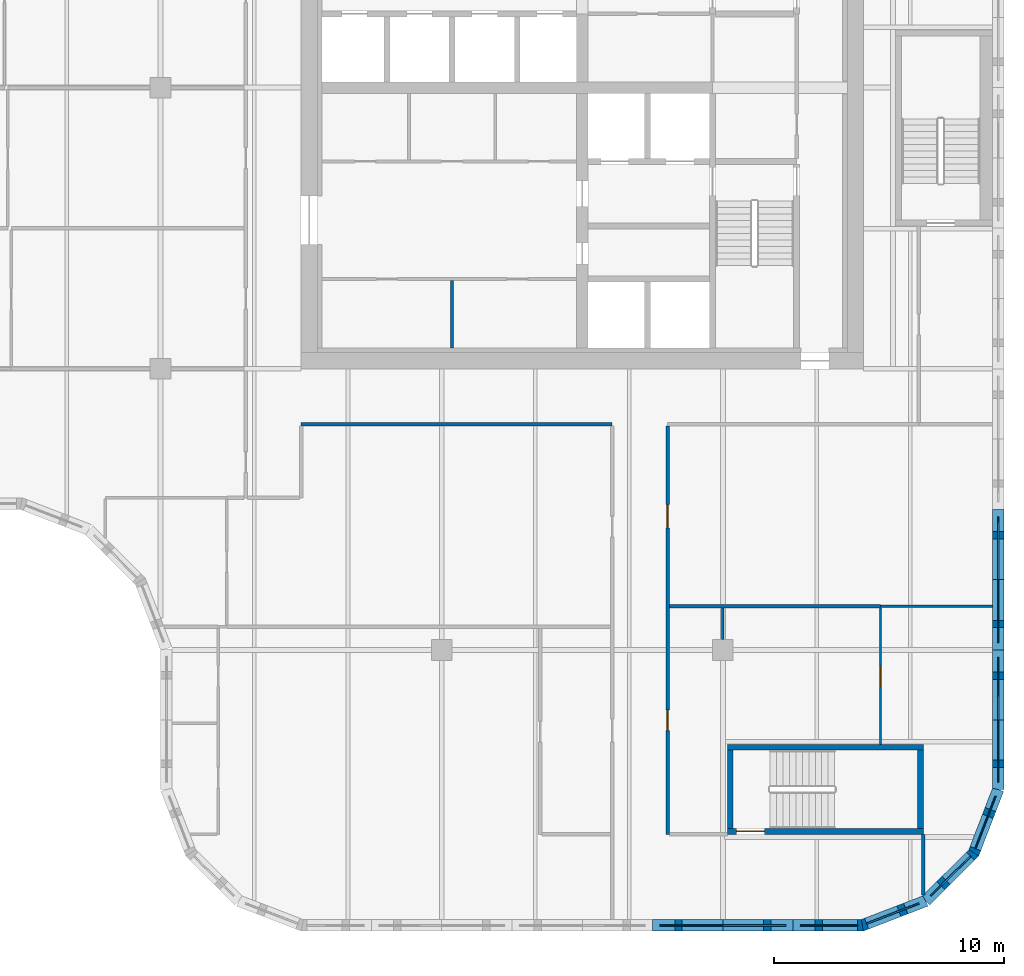
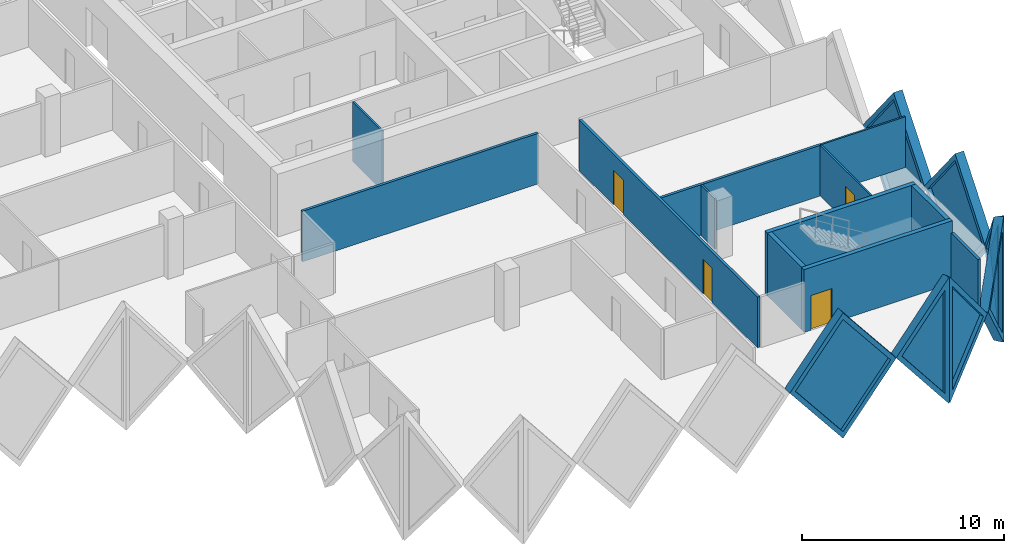
# One storey, part 5 of 13: 19 walls, 7 plates, 4 doors, 11 openings.
"""IFC4 building model written with IfcOpenShell, lengths in metres."""

from ifc_helpers import new_model, si_unit, direction, frame, frame_2d, origin, place, context, subcontext, project, spatial, polyline, rectangle, outline, extrude, faceted_brep, source, transform, mapped, material, layer, layer_set, type_object, element, fill, save


model = new_model("IFC4")

# Units and contexts
model_context = context("Model", 3, precision=1e-05, world=origin(), true_north=direction((0.0, 1.0)))
body_context = subcontext(model_context, "Body", "Model", "MODEL_VIEW")
ifc_project = project(units=[si_unit("LENGTHUNIT", "METRE"), si_unit("AREAUNIT", "SQUARE_METRE"), si_unit("VOLUMEUNIT", "CUBIC_METRE"), si_unit("PLANEANGLEUNIT", "RADIAN"), si_unit("MASSUNIT", "GRAM", prefix="KILO")], contexts=[model_context])

# Site, building, storey
site_placement = place(None, origin())
site = spatial("IfcSite", under=ifc_project, at=site_placement, CompositionType="ELEMENT")
building_placement = place(site_placement, origin())
building = spatial("IfcBuilding", under=site, at=building_placement, Name="Tessera Gate Towers", CompositionType="ELEMENT")
storey_placement = place(building_placement, frame((0.0, 0.0, 120.199951171875)))
storey = spatial("IfcBuildingStorey", under=building, at=storey_placement, Name="L29", CompositionType="ELEMENT", Elevation=120.199951171875)

# Wall, opening, door
ifc_material_1 = material(Name="Concrete C40/50", Category="concrete")
ifc_layer_1 = layer(ifc_material_1, 0.25)
ifc_layer_set_1 = layer_set([ifc_layer_1], Name="CORE ENCLOSURE WALL 250")
wall_type_1 = type_object("IfcWallType", Name="CORE ENCLOSURE WALL 250", PredefinedType="SOLIDWALL", material=ifc_layer_set_1)
wall_1_placement = place(storey_placement, frame((57.5, 4.324951171875, 0.0), z_axis=(0.0, 0.0, 1.0), x_axis=(-1.0, 0.0, 0.0)))
wall_1 = element("IfcWall", 1, at=wall_1_placement, inside=storey, type_object=wall_type_1, Name="L29 ST4 enclosure wall", PredefinedType="SOLIDWALL", context=body_context, shape_type="SweptSolid", body=[
    extrude(rectangle(XDim=8.5, YDim=0.25, at=frame_2d((4.25, 0.0))), origin(), (0.0, 0.0, 1.0), 3.800048828125),
])
shared_shape_1 = source(origin(), body_context, "Body", "SweptSolid", [
    extrude(rectangle(XDim=1.199951171875, YDim=2.10009765625, at=frame_2d((0.60009765625, 1.050048828125))), frame((0.0, 0.135009765625, 0.0), z_axis=(0.0, -1.0, 0.0), x_axis=(1.0, 0.0, 0.0)), (0.0, 0.0, 1.0), 0.27001953125),
])
opening_1_placement = place(wall_1_placement, frame((6.89990234375, 0.0, 0.0)))
opening_1 = element("IfcOpeningElement", 2, at=opening_1_placement, cuts=wall_1, Name="Opening SD-ST4-1", PredefinedType="OPENING", context=body_context, shape_type="MappedRepresentation", body=[
    mapped(shared_shape_1, transform((0.0, 0.0, 0.0), scale=1.0)),
])
ifc_material_2 = material(Name="Hollow steel fire door", Category="steel")
door_type_1 = type_object("IfcDoorType", Name="CORE DOOR SD 1200x2100", OperationType="NOTDEFINED", PredefinedType="DOOR", material=ifc_material_2)
shared_shape_2 = source(origin(), body_context, "Body", "SweptSolid", [
    extrude(rectangle(XDim=1.199951171875, YDim=2.10009765625, at=frame_2d((0.60009765625, 1.050048828125))), frame((0.0, 0.02490234375, 0.0), z_axis=(0.0, -1.0, 0.0), x_axis=(1.0, 0.0, 0.0)), (0.0, 0.0, 1.0), 0.050048828125),
])
door_1_placement = place(opening_1_placement, origin())
door_1 = element("IfcDoor", 3, at=door_1_placement, inside=storey, type_object=door_type_1, Name="Stair door", OperationType="SINGLE_SWING_RIGHT", OverallHeight=2.10009765625, OverallWidth=1.199951171875, PredefinedType="DOOR", context=body_context, shape_type="MappedRepresentation", body=[
    mapped(shared_shape_2, transform((0.0, 0.0, 0.0), scale=1.0)),
])
fill(opening_1, door_1)

# Walls
wall_2_placement = place(storey_placement, frame((49.125, 4.449951171875, 0.0), z_axis=(0.0, 0.0, 1.0), x_axis=(0.0, 1.0, 0.0)))
element("IfcWall", 4, at=wall_2_placement, inside=storey, type_object=wall_type_1, Name="L29 ST4 enclosure wall", PredefinedType="SOLIDWALL", context=body_context, shape_type="SweptSolid", body=[
    extrude(rectangle(XDim=3.400146484375, YDim=0.25, at=frame_2d((1.7001953125, 0.0))), origin(), (0.0, 0.0, 1.0), 3.800048828125),
])
wall_3_placement = place(storey_placement, frame((49.0, 7.97509765625, 0.0), z_axis=(0.0, 0.0, 1.0), x_axis=(1.0, 0.0, 0.0)))
element("IfcWall", 5, at=wall_3_placement, inside=storey, type_object=wall_type_1, Name="L29 ST4 enclosure wall", PredefinedType="SOLIDWALL", context=body_context, shape_type="SweptSolid", body=[
    extrude(rectangle(XDim=8.5, YDim=0.25, at=frame_2d((4.25, 0.0))), origin(), (0.0, 0.0, 1.0), 3.800048828125),
])
wall_4_placement = place(storey_placement, frame((57.375, 7.85009765625, 0.0), z_axis=(0.0, 0.0, 1.0), x_axis=(0.0, -1.0, 0.0)))
element("IfcWall", 6, at=wall_4_placement, inside=storey, type_object=wall_type_1, Name="L29 ST4 enclosure wall", PredefinedType="SOLIDWALL", context=body_context, shape_type="SweptSolid", body=[
    extrude(rectangle(XDim=3.400146484375, YDim=0.25, at=frame_2d((1.7001953125, 0.0))), origin(), (0.0, 0.0, 1.0), 3.800048828125),
])
ifc_material_3 = material(Name="Gypsum board on steel studs", Category="steel")
ifc_layer_2 = layer(ifc_material_3, 0.1201171875)
ifc_layer_set_2 = layer_set([ifc_layer_2], Name="CORE PARTITION 120")
wall_type_2 = type_object("IfcWallType", Name="CORE PARTITION 120", PredefinedType="PARTITIONING", material=ifc_layer_set_2)
wall_5_placement = place(storey_placement, frame((37.050048828125, 25.300048828125, 0.0), z_axis=(0.0, 0.0, 1.0), x_axis=(0.0, 1.0, 0.0)))
element("IfcWall", 7, at=wall_5_placement, inside=storey, type_object=wall_type_2, Name="L29 core partition", PredefinedType="PARTITIONING", context=body_context, shape_type="SweptSolid", body=[
    extrude(rectangle(XDim=2.93994140625, YDim=0.1201171875, at=frame_2d((1.469970703125, 0.0))), origin(), (0.0, 0.0, 1.0), 3.60009765625),
])
ifc_material_4 = material(Name="Gypsum board on steel studs, mineral wool", Category="steel")
ifc_layer_3 = layer(ifc_material_4, 0.14990234375)
ifc_layer_set_3 = layer_set([ifc_layer_3], Name="CORRIDOR WALL 150")
wall_type_3 = type_object("IfcWallType", Name="CORRIDOR WALL 150", PredefinedType="PARTITIONING", material=ifc_layer_set_3)
wall_6_placement = place(storey_placement, frame((57.5, 1.55908203125, 0.0), z_axis=(0.0, 0.0, 1.0), x_axis=(0.0, 1.0, 0.0)))
element("IfcWall", 8, at=wall_6_placement, inside=storey, type_object=wall_type_3, Name="T1-L29-PW-002", PredefinedType="PARTITIONING", context=body_context, shape_type="SweptSolid", body=[
    extrude(rectangle(XDim=2.640869140625, YDim=0.14990234375, at=frame_2d((1.3203125, 0.0))), origin(), (0.0, 0.0, 1.0), 3.067138671875),
])

# Wall, openings, doors
wall_7_placement = place(storey_placement, frame((46.39990234375, 21.924072265625, 0.0), z_axis=(0.0, 0.0, 1.0), x_axis=(0.0, -1.0, 0.0)))
wall_7 = element("IfcWall", 9, at=wall_7_placement, inside=storey, type_object=wall_type_3, Name="T1-L29-PW-007", PredefinedType="PARTITIONING", context=body_context, shape_type="SweptSolid", body=[
    extrude(rectangle(XDim=17.72412109375, YDim=0.14990234375, at=frame_2d((8.862060546875, 0.0))), origin(), (0.0, 0.0, 1.0), 3.067138671875),
])
shared_shape_3 = source(origin(), body_context, "Body", "SweptSolid", [
    extrude(rectangle(XDim=1.0, YDim=2.10009765625, at=frame_2d((0.5, 1.050048828125))), frame((0.0, 0.0849609375, 0.0), z_axis=(0.0, -1.0, 0.0), x_axis=(1.0, 0.0, 0.0)), (0.0, 0.0, 1.0), 0.169921875),
])
opening_2_placement = place(wall_7_placement, frame((3.423095703125, 0.0, 0.0)))
opening_2 = element("IfcOpeningElement", 10, at=opening_2_placement, cuts=wall_7, Name="Opening D2100FD60-A10-04", PredefinedType="OPENING", context=body_context, shape_type="MappedRepresentation", body=[
    mapped(shared_shape_3, transform((0.0, 0.0, 0.0), scale=1.0)),
])
shared_shape_4 = source(origin(), body_context, "Body", "SweptSolid", [
    extrude(rectangle(XDim=0.89990234375, YDim=2.10009765625, at=frame_2d((0.449951171875, 1.050048828125))), frame((0.0, 0.0849609375, 0.0), z_axis=(0.0, -1.0, 0.0), x_axis=(1.0, 0.0, 0.0)), (0.0, 0.0, 1.0), 0.169921875),
])
opening_3_placement = place(wall_7_placement, frame((12.323974609375, 0.0, 0.0)))
opening_3 = element("IfcOpeningElement", 11, at=opening_3_placement, cuts=wall_7, Name="Opening D890FD60-A10-07", PredefinedType="OPENING", context=body_context, shape_type="MappedRepresentation", body=[
    mapped(shared_shape_4, transform((0.0, 0.0, 0.0), scale=1.0)),
])
ifc_material_5 = material(Name="Timber door leaf in steel frame", Category="steel")
door_type_2 = type_object("IfcDoorType", Name="CORRIDOR DOOR 900 FD60", OperationType="NOTDEFINED", PredefinedType="DOOR", material=ifc_material_5)
shared_shape_5 = source(origin(), body_context, "Body", "SweptSolid", [
    extrude(rectangle(XDim=0.89990234375, YDim=2.10009765625, at=frame_2d((0.449951171875, 1.050048828125))), frame((0.0, 0.02490234375, 0.0), z_axis=(0.0, -1.0, 0.0), x_axis=(1.0, 0.0, 0.0)), (0.0, 0.0, 1.0), 0.050048828125),
])
door_2_placement = place(opening_3_placement, origin())
door_2 = element("IfcDoor", 12, at=door_2_placement, inside=storey, type_object=door_type_2, Name="T1-L29-PD-025", OperationType="SINGLE_SWING_RIGHT", OverallHeight=2.10009765625, OverallWidth=0.89990234375, PredefinedType="DOOR", context=body_context, shape_type="MappedRepresentation", body=[
    mapped(shared_shape_5, transform((0.0, 0.0, 0.0), scale=1.0)),
])
fill(opening_3, door_2)
ifc_material_6 = material(Name="Timber door leaf in steel frame", Category="steel")
door_type_3 = type_object("IfcDoorType", Name="TENANCY ENTRANCE DOOR 1000 FD60", OperationType="NOTDEFINED", PredefinedType="DOOR", material=ifc_material_6)
shared_shape_6 = source(origin(), body_context, "Body", "SweptSolid", [
    extrude(rectangle(XDim=1.0, YDim=2.10009765625, at=frame_2d((0.5, 1.050048828125))), frame((0.0, 0.02490234375, 0.0), z_axis=(0.0, -1.0, 0.0), x_axis=(1.0, 0.0, 0.0)), (0.0, 0.0, 1.0), 0.050048828125),
])
door_3_placement = place(opening_2_placement, origin())
door_3 = element("IfcDoor", 13, at=door_3_placement, inside=storey, type_object=door_type_3, Name="T1-L29-PD-018", OperationType="SINGLE_SWING_RIGHT", OverallHeight=2.10009765625, OverallWidth=1.0, PredefinedType="DOOR", context=body_context, shape_type="MappedRepresentation", body=[
    mapped(shared_shape_6, transform((0.0, 0.0, 0.0), scale=1.0)),
])
fill(opening_2, door_3)

# Wall
wall_8_placement = place(storey_placement, frame((30.5, 22.0, 0.0), z_axis=(0.0, 0.0, 1.0), x_axis=(1.0, 0.0, 0.0)))
element("IfcWall", 14, at=wall_8_placement, inside=storey, type_object=wall_type_3, Name="T1-L29-PW-025", PredefinedType="PARTITIONING", context=body_context, shape_type="SweptSolid", body=[
    extrude(rectangle(XDim=13.5, YDim=0.14990234375, at=frame_2d((6.75, 0.0))), origin(), (0.0, 0.0, 1.0), 3.067138671875),
])

# Wall, opening, door
ifc_material_7 = material(Name="Glass", Category="glass")
ifc_layer_4 = layer(ifc_material_7, 0.10009765625)
ifc_layer_set_4 = layer_set([ifc_layer_4], Name="GLAZED PARTITION 100")
wall_type_4 = type_object("IfcWallType", Name="GLAZED PARTITION 100", PredefinedType="PARTITIONING", material=ifc_layer_set_4)
wall_9_placement = place(storey_placement, frame((55.639892578125, 14.02392578125, 0.0), z_axis=(0.0, 0.0, 1.0), x_axis=(0.0, -1.0, 0.0)))
wall_9 = element("IfcWall", 15, at=wall_9_placement, inside=storey, type_object=wall_type_4, Name="T1-L29-PW-009", PredefinedType="PARTITIONING", context=body_context, shape_type="SweptSolid", body=[
    extrude(rectangle(XDim=5.923828125, YDim=0.10009765625, at=frame_2d((2.9619140625, 0.0))), origin(), (0.0, 0.0, 1.0), 3.067138671875),
])
shared_shape_7 = source(origin(), body_context, "Body", "SweptSolid", [
    extrude(rectangle(XDim=0.89990234375, YDim=2.10009765625, at=frame_2d((0.449951171875, 1.050048828125))), frame((0.0, 0.06005859375, 0.0), z_axis=(0.0, -1.0, 0.0), x_axis=(1.0, 0.0, 0.0)), (0.0, 0.0, 1.0), 0.1201171875),
])
opening_4_placement = place(wall_9_placement, frame((2.52392578125, 0.0, 0.0)))
opening_4 = element("IfcOpeningElement", 16, at=opening_4_placement, cuts=wall_9, Name="Opening D690-A10-03", PredefinedType="OPENING", context=body_context, shape_type="MappedRepresentation", body=[
    mapped(shared_shape_7, transform((0.0, 0.0, 0.0), scale=1.0)),
])
ifc_material_8 = material(Name="Glass in aluminium frame", Category="aluminium")
door_type_4 = type_object("IfcDoorType", Name="GLAZED DOOR 900 NOT RATED", OperationType="NOTDEFINED", PredefinedType="DOOR", material=ifc_material_8)
door_4_placement = place(opening_4_placement, origin())
door_4 = element("IfcDoor", 17, at=door_4_placement, inside=storey, type_object=door_type_4, Name="T1-L29-PD-010", OperationType="SINGLE_SWING_RIGHT", OverallHeight=2.10009765625, OverallWidth=0.89990234375, PredefinedType="DOOR", context=body_context, shape_type="MappedRepresentation", body=[
    mapped(shared_shape_5, transform((0.0, 0.0, 0.0), scale=1.0)),
])
fill(opening_4, door_4)

# Walls
wall_10_placement = place(storey_placement, frame((55.64111328125, 14.10009765625, 0.0), z_axis=(0.0, 0.0, 1.0), x_axis=(1.0, 0.0, 0.0)))
element("IfcWall", 18, at=wall_10_placement, inside=storey, type_object=wall_type_4, Name="T1-L29-PW-017", PredefinedType="PARTITIONING", context=body_context, shape_type="SweptSolid", body=[
    extrude(rectangle(XDim=4.85888671875, YDim=0.10009765625, at=frame_2d((2.429443359375, 0.0))), origin(), (0.0, 0.0, 1.0), 3.067138671875),
])
ifc_material_9 = material(Name="Gypsum board on steel studs", Category="steel")
ifc_layer_5 = layer(ifc_material_9, 0.10009765625)
ifc_layer_set_5 = layer_set([ifc_layer_5], Name="PARTITION 100")
wall_type_5 = type_object("IfcWallType", Name="PARTITION 100", PredefinedType="PARTITIONING", material=ifc_layer_set_5)
wall_11_placement = place(storey_placement, frame((48.800048828125, 12.64990234375, 0.0), z_axis=(0.0, 0.0, 1.0), x_axis=(0.0, 1.0, 0.0)))
element("IfcWall", 19, at=wall_11_placement, inside=storey, type_object=wall_type_5, Name="T1-L29-PW-011", PredefinedType="PARTITIONING", context=body_context, shape_type="SweptSolid", body=[
    extrude(rectangle(XDim=1.375, YDim=0.10009765625, at=frame_2d((0.6875, 0.0))), origin(), (0.0, 0.0, 1.0), 3.067138671875),
])
ifc_material_10 = material(Name="Gypsum board on steel studs, mineral wool", Category="steel")
ifc_layer_6 = layer(ifc_material_10, 0.14990234375)
ifc_layer_set_6 = layer_set([ifc_layer_6], Name="TENANCY WALL 150")
wall_type_6 = type_object("IfcWallType", Name="TENANCY WALL 150", PredefinedType="PARTITIONING", material=ifc_layer_set_6)
wall_12_placement = place(storey_placement, frame((46.47607421875, 14.10009765625, 0.0), z_axis=(0.0, 0.0, 1.0), x_axis=(1.0, 0.0, 0.0)))
element("IfcWall", 20, at=wall_12_placement, inside=storey, type_object=wall_type_6, Name="T1-L29-PW-016", PredefinedType="PARTITIONING", context=body_context, shape_type="SweptSolid", body=[
    extrude(rectangle(XDim=9.163818359375, YDim=0.14990234375, at=frame_2d((4.58203125, 0.0))), origin(), (0.0, 0.0, 1.0), 3.067138671875),
])

# Wall, opening, plate
ifc_material_11 = material(Name="Precast concrete C60/75 white", Category="concrete")
ifc_layer_7 = layer(ifc_material_11, 0.5)
ifc_layer_set_7 = layer_set([ifc_layer_7], Name="TS1 tessera")
wall_type_7 = type_object("IfcWallType", Name="TS1 tessera", PredefinedType="SOLIDWALL", material=ifc_layer_set_7)
shared_shape_8 = source(origin(), body_context, "Body", "Brep", [
    faceted_brep([(3.00341796875, -0.25, 0.0), (6.053466796875, -0.25, 3.800048828125), (3.00341796875, -0.25, 7.60009765625), (0.0, -0.25, 3.800048828125), (0.046630859375, 0.25, 3.85888671875), (3.00341796875, 0.25, 7.60009765625), (6.053466796875, 0.25, 3.800048828125), (3.00341796875, 0.25, 0.0), (0.046630859375, 0.25, 3.7412109375), (0.0, 0.0, 3.800048828125)], [[[0, 1, 2, 3]], [[4, 5, 6, 7, 8]], [[7, 6, 1, 0]], [[6, 5, 2, 1]], [[5, 4, 9, 3, 2]], [[8, 7, 0, 3, 9]], [[8, 9, 4]]]),
])
wall_13_placement = place(storey_placement, frame((60.75, 6.146484375, -3.800048828125), z_axis=(0.0, 0.0, 1.0), x_axis=(0.0, 1.0, 0.0)))
wall_13 = element("IfcWall", 21, at=wall_13_placement, inside=storey, type_object=wall_type_7, Name="Precast tessera T1 TS1-0463", PredefinedType="SOLIDWALL", context=body_context, shape_type="MappedRepresentation", body=[
    mapped(shared_shape_8, transform((0.0, 0.0, 0.0), scale=1.0)),
])
shared_shape_9 = source(origin(), body_context, "Body", "SweptSolid", [
    extrude(outline(polyline([(3.0048828125, 0.4013671875), (5.73291015625, 3.800048828125), (3.0048828125, 7.19873046875), (0.318603515625, 3.800048828125), (3.0048828125, 0.4013671875)])), frame((0.0, 0.260009765625, 0.0), z_axis=(0.0, -1.0, 0.0), x_axis=(1.0, 0.0, 0.0)), (0.0, 0.0, 1.0), 0.52001953125),
])
opening_5_placement = place(wall_13_placement, origin())
opening_5 = element("IfcOpeningElement", 22, at=opening_5_placement, cuts=wall_13, Name="Opening T1-PL2-0949", PredefinedType="OPENING", context=body_context, shape_type="MappedRepresentation", body=[
    mapped(shared_shape_9, transform((0.0, 0.0, 0.0), scale=1.0)),
])
ifc_material_12 = material(Name="Low-e laminated glass", Category="glass")
ifc_layer_8 = layer(ifc_material_12, 0.06005859375)
ifc_layer_set_8 = layer_set([ifc_layer_8], Name="PL2 rhombic pane")
plate_type = type_object("IfcPlateType", Name="PL2 rhombic pane", PredefinedType="SHEET", material=ifc_layer_set_8)
shared_shape_10 = source(origin(), body_context, "Body", "SweptSolid", [
    extrude(outline(polyline([(3.0048828125, 0.4013671875), (5.73291015625, 3.800048828125), (3.0048828125, 7.19873046875), (0.318603515625, 3.800048828125), (3.0048828125, 0.4013671875)])), frame((0.0, 0.030029296875, 0.0), z_axis=(0.0, -1.0, 0.0), x_axis=(1.0, 0.0, 0.0)), (0.0, 0.0, 1.0), 0.06005859375),
])
plate_1_placement = place(opening_5_placement, origin())
plate_1 = element("IfcPlate", 23, at=plate_1_placement, inside=storey, type_object=plate_type, Name="Glass pane T1 PL2-0949", PredefinedType="SHEET", context=body_context, shape_type="MappedRepresentation", body=[
    mapped(shared_shape_10, transform((0.0, 0.0, 0.0), scale=1.0)),
])
fill(opening_5, plate_1)

shared_shape_11 = source(origin(), body_context, "Body", "SweptSolid", [
    extrude(outline(polyline([(3.050048828125, 0.0), (6.10009765625, 3.800048828125), (3.050048828125, 7.60009765625), (0.0, 3.800048828125), (3.050048828125, 0.0)])), frame((0.0, 0.25, 0.0), z_axis=(0.0, -1.0, 0.0), x_axis=(1.0, 0.0, 0.0)), (0.0, 0.0, 1.0), 0.5),
])
wall_14_placement = place(storey_placement, frame((45.75, 0.25, -3.800048828125), z_axis=(0.0, 0.0, 1.0), x_axis=(1.0, 0.0, 0.0)))
wall_14 = element("IfcWall", 24, at=wall_14_placement, inside=storey, type_object=wall_type_7, Name="Precast tessera T1 TS1-0462", PredefinedType="SOLIDWALL", context=body_context, shape_type="MappedRepresentation", body=[
    mapped(shared_shape_11, transform((0.0, 0.0, 0.0), scale=1.0)),
])
shared_shape_12 = source(origin(), body_context, "Body", "SweptSolid", [
    extrude(outline(polyline([(3.050048828125, 0.3994140625), (5.779541015625, 3.800048828125), (3.050048828125, 7.20068359375), (0.320556640625, 3.800048828125), (3.050048828125, 0.3994140625)])), frame((0.0, 0.260009765625, 0.0), z_axis=(0.0, -1.0, 0.0), x_axis=(1.0, 0.0, 0.0)), (0.0, 0.0, 1.0), 0.52001953125),
])
opening_6_placement = place(wall_14_placement, origin())
opening_6 = element("IfcOpeningElement", 25, at=opening_6_placement, cuts=wall_14, Name="Opening T1-PL2-0944", PredefinedType="OPENING", context=body_context, shape_type="MappedRepresentation", body=[
    mapped(shared_shape_12, transform((0.0, 0.0, 0.0), scale=1.0)),
])
shared_shape_13 = source(origin(), body_context, "Body", "SweptSolid", [
    extrude(outline(polyline([(3.050048828125, 0.3994140625), (5.779541015625, 3.800048828125), (3.050048828125, 7.20068359375), (0.320556640625, 3.800048828125), (3.050048828125, 0.3994140625)])), frame((0.0, 0.030029296875, 0.0), z_axis=(0.0, -1.0, 0.0), x_axis=(1.0, 0.0, 0.0)), (0.0, 0.0, 1.0), 0.06005859375),
])
plate_2_placement = place(opening_6_placement, origin())
plate_2 = element("IfcPlate", 26, at=plate_2_placement, inside=storey, type_object=plate_type, Name="Glass pane T1 PL2-0944", PredefinedType="SHEET", context=body_context, shape_type="MappedRepresentation", body=[
    mapped(shared_shape_13, transform((0.0, 0.0, 0.0), scale=1.0)),
])
fill(opening_6, plate_2)

wall_15_placement = place(storey_placement, frame((60.75, 12.199951171875, -3.800048828125), z_axis=(0.0, 0.0, 1.0), x_axis=(0.0, 1.0, 0.0)))
wall_15 = element("IfcWall", 27, at=wall_15_placement, inside=storey, type_object=wall_type_7, Name="Precast tessera T1 TS1-0464", PredefinedType="SOLIDWALL", context=body_context, shape_type="MappedRepresentation", body=[
    mapped(shared_shape_11, transform((0.0, 0.0, 0.0), scale=1.0)),
])
opening_7_placement = place(wall_15_placement, origin())
opening_7 = element("IfcOpeningElement", 28, at=opening_7_placement, cuts=wall_15, Name="Opening T1-PL2-0950", PredefinedType="OPENING", context=body_context, shape_type="MappedRepresentation", body=[
    mapped(shared_shape_12, transform((0.0, 0.0, 0.0), scale=1.0)),
])
plate_3_placement = place(opening_7_placement, origin())
plate_3 = element("IfcPlate", 29, at=plate_3_placement, inside=storey, type_object=plate_type, Name="Glass pane T1 PL2-0950", PredefinedType="SHEET", context=body_context, shape_type="MappedRepresentation", body=[
    mapped(shared_shape_13, transform((0.0, 0.0, 0.0), scale=1.0)),
])
fill(opening_7, plate_3)

ifc_material_13 = material(Name="Precast concrete C60/75 white", Category="concrete")
ifc_layer_9 = layer(ifc_material_13, 0.5)
ifc_layer_set_9 = layer_set([ifc_layer_9], Name="TS3 corner tessera")
wall_type_8 = type_object("IfcWallType", Name="TS3 corner tessera", PredefinedType="SOLIDWALL", material=ifc_layer_set_9)
shared_shape_14 = source(origin(), body_context, "Body", "Brep", [
    faceted_brep([(3.00341796875, -0.25, 0.0), (3.050048828125, -0.25, 0.06005859375), (3.050048828125, -0.25, 7.5400390625), (3.00341796875, -0.25, 7.60009765625), (0.0, -0.25, 3.800048828125), (0.0, 0.25, 3.800048828125), (2.956787109375, 0.25, 7.541259765625), (2.956787109375, 0.25, 0.058837890625), (3.00341796875, 0.000244140625, 0.0), (3.00341796875, 0.000244140625, 7.60009765625)], [[[0, 1, 2, 3, 4]], [[5, 6, 7]], [[1, 0, 8]], [[9, 3, 2]], [[6, 5, 4, 3, 9]], [[5, 7, 8, 0, 4]], [[1, 8, 7, 6, 9, 2]]]),
])
wall_16_placement = place(storey_placement, frame((51.85009765625, 0.25, -3.800048828125), z_axis=(0.0, 0.0, 1.0), x_axis=(1.0, 0.0, 0.0)))
wall_16 = element("IfcWall", 30, at=wall_16_placement, inside=storey, type_object=wall_type_8, Name="Precast corner tessera T1 TS3-0651", PredefinedType="SOLIDWALL", context=body_context, shape_type="MappedRepresentation", body=[
    mapped(shared_shape_14, transform((0.0, 0.0, 0.0), scale=1.0)),
])
shared_shape_15 = source(origin(), body_context, "Body", "SweptSolid", [
    extrude(outline(polyline([(2.803466796875, 6.94384765625), (0.318603515625, 3.800048828125), (2.803466796875, 0.65625), (2.803466796875, 6.94384765625)])), frame((0.0, 0.260009765625, 0.0), z_axis=(0.0, -1.0, 0.0), x_axis=(1.0, 0.0, 0.0)), (0.0, 0.0, 1.0), 0.52001953125),
])
opening_8_placement = place(wall_16_placement, origin())
opening_8 = element("IfcOpeningElement", 31, at=opening_8_placement, cuts=wall_16, Name="Opening T1-PL2-0945", PredefinedType="OPENING", context=body_context, shape_type="MappedRepresentation", body=[
    mapped(shared_shape_15, transform((0.0, 0.0, 0.0), scale=1.0)),
])
shared_shape_16 = source(origin(), body_context, "Body", "SweptSolid", [
    extrude(outline(polyline([(2.803466796875, 6.94384765625), (0.318603515625, 3.800048828125), (2.803466796875, 0.65625), (2.803466796875, 6.94384765625)])), frame((0.0, 0.030029296875, 0.0), z_axis=(0.0, -1.0, 0.0), x_axis=(1.0, 0.0, 0.0)), (0.0, 0.0, 1.0), 0.06005859375),
])
plate_4_placement = place(opening_8_placement, origin())
plate_4 = element("IfcPlate", 32, at=plate_4_placement, inside=storey, type_object=plate_type, Name="Glass pane T1 PL2-0945", PredefinedType="SHEET", context=body_context, shape_type="MappedRepresentation", body=[
    mapped(shared_shape_16, transform((0.0, 0.0, 0.0), scale=1.0)),
])
fill(opening_8, plate_4)

shared_shape_17 = source(origin(), body_context, "Body", "Brep", [
    faceted_brep([(0.046630859375, -0.25, 0.0), (2.9970703125, -0.25, 3.800048828125), (0.046630859375, -0.25, 7.60009765625), (0.0, -0.25, 7.541259765625), (0.0, -0.25, 0.058837890625), (0.09326171875, 0.25, 7.5400390625), (2.9443359375, 0.25, 3.8681640625), (2.9443359375, 0.25, 3.73193359375), (0.09326171875, 0.25, 0.06005859375), (2.9970703125, 0.00048828125, 3.800048828125), (0.046630859375, 0.0, 0.0), (0.046630859375, 0.0, 7.60009765625)], [[[0, 1, 2, 3, 4]], [[5, 6, 7, 8]], [[8, 7, 9, 1, 0, 10]], [[6, 5, 11, 2, 1, 9]], [[3, 2, 11]], [[10, 0, 4]], [[8, 10, 4, 3, 11, 5]], [[9, 7, 6]]]),
])
wall_17_placement = place(storey_placement, frame((54.81005859375, 0.233154296875, -3.800048828125), z_axis=(0.0, 0.0, 1.0), x_axis=(0.932990326376, 0.359901446078, 0.0)))
wall_17 = element("IfcWall", 33, at=wall_17_placement, inside=storey, type_object=wall_type_8, Name="Precast corner tessera T1 TS3-0652", PredefinedType="SOLIDWALL", context=body_context, shape_type="MappedRepresentation", body=[
    mapped(shared_shape_17, transform((0.0, 0.0, 0.0), scale=1.0)),
])
shared_shape_18 = source(origin(), body_context, "Body", "SweptSolid", [
    extrude(outline(polyline([(0.24658203125, 0.665283203125), (2.6806640625, 3.800048828125), (0.24658203125, 6.934814453125), (0.24658203125, 0.665283203125)])), frame((0.0, 0.260009765625, 0.0), z_axis=(0.0, -1.0, 0.0), x_axis=(1.0, 0.0, 0.0)), (0.0, 0.0, 1.0), 0.52001953125),
])
opening_9_placement = place(wall_17_placement, origin())
opening_9 = element("IfcOpeningElement", 34, at=opening_9_placement, cuts=wall_17, Name="Opening T1-PL2-0946", PredefinedType="OPENING", context=body_context, shape_type="MappedRepresentation", body=[
    mapped(shared_shape_18, transform((0.0, 0.0, 0.0), scale=1.0)),
])
shared_shape_19 = source(origin(), body_context, "Body", "SweptSolid", [
    extrude(outline(polyline([(0.24658203125, 0.665283203125), (2.6806640625, 3.800048828125), (0.24658203125, 6.934814453125), (0.24658203125, 0.665283203125)])), frame((0.0, 0.030029296875, 0.0), z_axis=(0.0, -1.0, 0.0), x_axis=(1.0, 0.0, 0.0)), (0.0, 0.0, 1.0), 0.06005859375),
])
plate_5_placement = place(opening_9_placement, origin())
plate_5 = element("IfcPlate", 35, at=plate_5_placement, inside=storey, type_object=plate_type, Name="Glass pane T1 PL2-0946", PredefinedType="SHEET", context=body_context, shape_type="MappedRepresentation", body=[
    mapped(shared_shape_19, transform((0.0, 0.0, 0.0), scale=1.0)),
])
fill(opening_9, plate_5)

shared_shape_20 = source(origin(), body_context, "Body", "Brep", [
    faceted_brep([(2.944091796875, -0.25, 0.0), (2.9970703125, -0.25, 0.068115234375), (2.9970703125, -0.25, 7.531982421875), (2.944091796875, -0.25, 7.60009765625), (0.0, -0.25, 3.800048828125), (0.052978515625, 0.25, 3.868408203125), (2.89111328125, 0.25, 7.531982421875), (2.89111328125, 0.25, 0.068115234375), (0.052978515625, 0.25, 3.731689453125), (2.944091796875, 0.000244140625, 0.0), (2.944091796875, 0.000244140625, 7.60009765625), (0.0, 0.0, 3.800048828125)], [[[0, 1, 2, 3, 4]], [[5, 6, 7, 8]], [[1, 0, 9]], [[10, 3, 2]], [[6, 5, 11, 4, 3, 10]], [[8, 7, 9, 0, 4, 11]], [[8, 11, 5]], [[1, 9, 7, 6, 10, 2]]]),
])
wall_18_placement = place(storey_placement, frame((57.606201171875, 1.31201171875, -3.800048828125), z_axis=(0.0, 0.0, 1.0), x_axis=(0.707147509625, 0.707066050402, 0.0)))
wall_18 = element("IfcWall", 36, at=wall_18_placement, inside=storey, type_object=wall_type_8, Name="Precast corner tessera T1 TS3-0653", PredefinedType="SOLIDWALL", context=body_context, shape_type="MappedRepresentation", body=[
    mapped(shared_shape_20, transform((0.0, 0.0, 0.0), scale=1.0)),
])
shared_shape_21 = source(origin(), body_context, "Body", "SweptSolid", [
    extrude(outline(polyline([(2.744140625, 6.933837890625), (0.316162109375, 3.800048828125), (2.744140625, 0.66650390625), (2.744140625, 6.933837890625)])), frame((0.0, 0.260009765625, 0.0), z_axis=(0.0, -1.0, 0.0), x_axis=(1.0, 0.0, 0.0)), (0.0, 0.0, 1.0), 0.52001953125),
])
opening_10_placement = place(wall_18_placement, origin())
opening_10 = element("IfcOpeningElement", 37, at=opening_10_placement, cuts=wall_18, Name="Opening T1-PL2-0947", PredefinedType="OPENING", context=body_context, shape_type="MappedRepresentation", body=[
    mapped(shared_shape_21, transform((0.0, 0.0, 0.0), scale=1.0)),
])
shared_shape_22 = source(origin(), body_context, "Body", "SweptSolid", [
    extrude(outline(polyline([(2.744140625, 6.933837890625), (0.316162109375, 3.800048828125), (2.744140625, 0.66650390625), (2.744140625, 6.933837890625)])), frame((0.0, 0.030029296875, 0.0), z_axis=(0.0, -1.0, 0.0), x_axis=(1.0, 0.0, 0.0)), (0.0, 0.0, 1.0), 0.06005859375),
])
plate_6_placement = place(opening_10_placement, origin())
plate_6 = element("IfcPlate", 38, at=plate_6_placement, inside=storey, type_object=plate_type, Name="Glass pane T1 PL2-0947", PredefinedType="SHEET", context=body_context, shape_type="MappedRepresentation", body=[
    mapped(shared_shape_22, transform((0.0, 0.0, 0.0), scale=1.0)),
])
fill(opening_10, plate_6)

shared_shape_23 = source(origin(), body_context, "Body", "Brep", [
    faceted_brep([(0.052978515625, -0.25, 0.0), (3.00341796875, -0.25, 3.800048828125), (0.052978515625, -0.25, 7.60009765625), (0.0, -0.25, 7.53173828125), (0.0, -0.25, 0.068359375), (0.10595703125, 0.25, 7.531982421875), (2.95703125, 0.25, 3.85986328125), (2.95703125, 0.25, 3.740234375), (0.10595703125, 0.25, 0.068115234375), (3.00341796875, 0.00048828125, 3.800048828125), (0.052978515625, 0.0, 0.0), (0.052978515625, 0.0, 7.60009765625)], [[[0, 1, 2, 3, 4]], [[5, 6, 7, 8]], [[8, 7, 9, 1, 0, 10]], [[6, 5, 11, 2, 1, 9]], [[3, 2, 11]], [[10, 0, 4]], [[8, 10, 4, 3, 11, 5]], [[9, 7, 6]]]),
])
wall_19_placement = place(storey_placement, frame((59.6689453125, 3.34423828125, -3.800048828125), z_axis=(0.0, 0.0, 1.0), x_axis=(0.35992665181, 0.932980602862, 0.0)))
wall_19 = element("IfcWall", 39, at=wall_19_placement, inside=storey, type_object=wall_type_8, Name="Precast corner tessera T1 TS3-0654", PredefinedType="SOLIDWALL", context=body_context, shape_type="MappedRepresentation", body=[
    mapped(shared_shape_23, transform((0.0, 0.0, 0.0), scale=1.0)),
])
shared_shape_24 = source(origin(), body_context, "Body", "SweptSolid", [
    extrude(outline(polyline([(0.2529296875, 0.665283203125), (2.68701171875, 3.800048828125), (0.2529296875, 6.934814453125), (0.2529296875, 0.665283203125)])), frame((0.0, 0.260009765625, 0.0), z_axis=(0.0, -1.0, 0.0), x_axis=(1.0, 0.0, 0.0)), (0.0, 0.0, 1.0), 0.52001953125),
])
opening_11_placement = place(wall_19_placement, origin())
opening_11 = element("IfcOpeningElement", 40, at=opening_11_placement, cuts=wall_19, Name="Opening T1-PL2-0948", PredefinedType="OPENING", context=body_context, shape_type="MappedRepresentation", body=[
    mapped(shared_shape_24, transform((0.0, 0.0, 0.0), scale=1.0)),
])
shared_shape_25 = source(origin(), body_context, "Body", "SweptSolid", [
    extrude(outline(polyline([(0.2529296875, 0.665283203125), (2.68701171875, 3.800048828125), (0.2529296875, 6.934814453125), (0.2529296875, 0.665283203125)])), frame((0.0, 0.030029296875, 0.0), z_axis=(0.0, -1.0, 0.0), x_axis=(1.0, 0.0, 0.0)), (0.0, 0.0, 1.0), 0.06005859375),
])
plate_7_placement = place(opening_11_placement, origin())
plate_7 = element("IfcPlate", 41, at=plate_7_placement, inside=storey, type_object=plate_type, Name="Glass pane T1 PL2-0948", PredefinedType="SHEET", context=body_context, shape_type="MappedRepresentation", body=[
    mapped(shared_shape_25, transform((0.0, 0.0, 0.0), scale=1.0)),
])
fill(opening_11, plate_7)

save(model, "model.ifc")
